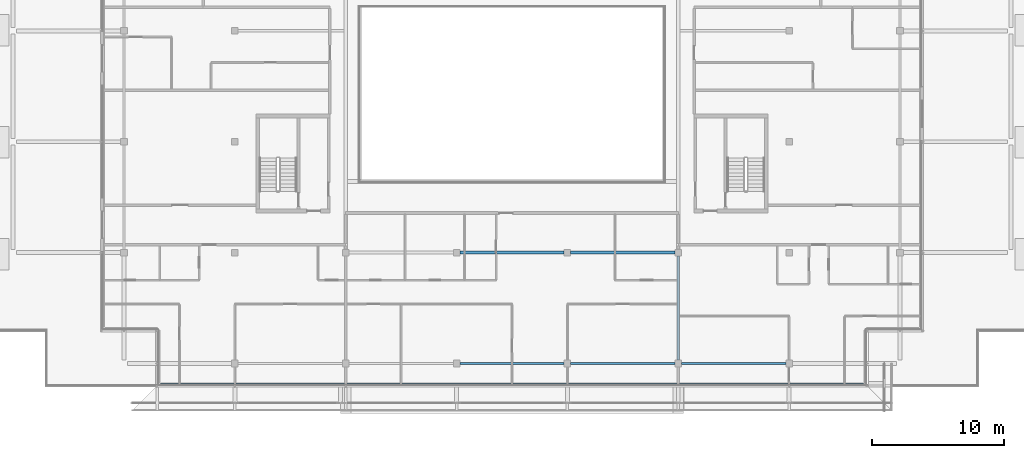
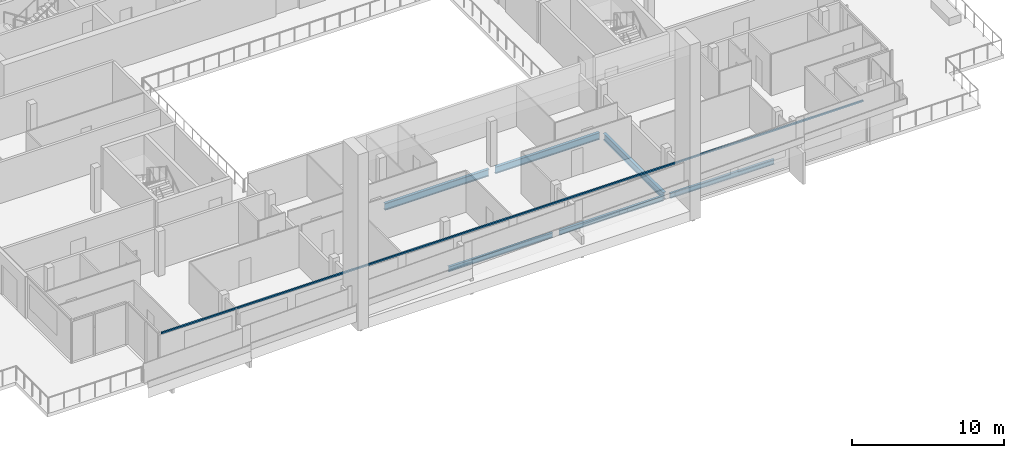
# One storey, part 6 of 29: 6 beams, 1 member, 1 element without a shape of its own.
"""IFC4 building model written with IfcOpenShell, lengths in metres."""

import ifcopenshell
import ifcopenshell.guid

model = None  # the IFC model being written
_history = None  # IfcOwnerHistory: only IFC2X3 demands one
_inside = {}  # id of a spatial element -> (the spatial element, [elements in it])
_under = {}  # id of a project, library or spatial element -> (it, [spatial elements below it])
_declared = {}  # id of a project -> (the project, [libraries it declares])
_typed = {}  # id of a type object -> (the type object, [elements of that type])
_made_of = {}  # id of a material, layer set ... -> (it, [elements and type objects made of it])


def new_model(schema):
    """Start an empty IFC model of exactly this schema.

    Asked for "IFC4X3", IfcOpenShell would pick the latest addendum, in which some entities
    have other attributes; the version numbers below select the first issue.
    IFC2X3 requires an IfcOwnerHistory on every rooted entity: one is made here for all.
    """
    global model, _history
    if schema == "IFC4X3":
        model = ifcopenshell.file(schema_version=(4, 3, 0, 0))
    else:
        model = ifcopenshell.file(schema=schema)
    _inside.clear()
    _under.clear()
    _declared.clear()
    _typed.clear()
    _made_of.clear()
    _history = None
    if model.schema == "IFC2X3":
        org = make("IfcOrganization", Name="unknown")
        user = make(
            "IfcPersonAndOrganization",
            ThePerson=make("IfcPerson", FamilyName="unknown"),
            TheOrganization=org,
        )
        app = make(
            "IfcApplication",
            ApplicationDeveloper=org,
            Version="unknown",
            ApplicationFullName="unknown",
            ApplicationIdentifier="unknown",
        )
        _history = make(
            "IfcOwnerHistory",
            OwningUser=user,
            OwningApplication=app,
            ChangeAction="ADDED",
            CreationDate=0,
        )
    return model


def make(cls, **values):
    """One entity of the class cls with the attributes given. An attribute that is None is left unset."""
    return model.create_entity(
        cls, **{name: value for name, value in values.items() if value is not None}
    )


def rooted(cls, **values):
    """An entity with a GlobalId (a new one), such as an element, a storey or a relation."""
    return make(cls, GlobalId=ifcopenshell.guid.new(), OwnerHistory=_history, **values)


def si_unit(unit_type, name, prefix=None):
    """IfcSIUnit, for example si_unit("LENGTHUNIT", "METRE", prefix="MILLI")."""
    return make("IfcSIUnit", UnitType=unit_type, Prefix=prefix, Name=name)


def assignment(units):
    """IfcUnitAssignment: the units of a project."""
    return None if units is None else make("IfcUnitAssignment", Units=units)


def point(xyz):
    """IfcCartesianPoint."""
    return None if xyz is None else make("IfcCartesianPoint", Coordinates=xyz)


def direction(xyz):
    """IfcDirection."""
    return None if xyz is None else make("IfcDirection", DirectionRatios=xyz)


def frame(location, z_axis=None, x_axis=None):
    """IfcAxis2Placement3D, a coordinate frame: its origin and axes. An axis left out is left unset."""
    return make(
        "IfcAxis2Placement3D",
        Location=point(location),
        Axis=direction(z_axis),
        RefDirection=direction(x_axis),
    )


def frame_2d(location, x_axis=None):
    """IfcAxis2Placement2D, a coordinate frame in the plane: its origin and x axis."""
    return make(
        "IfcAxis2Placement2D", Location=point(location), RefDirection=direction(x_axis)
    )


def origin():
    """The frame at (0, 0, 0) with its axes left unset."""
    return frame((0.0, 0.0, 0.0))


def origin_2d():
    """The frame at (0, 0) in the plane with its x axis left unset."""
    return frame_2d((0.0, 0.0))


def place(relative_to, where):
    """IfcLocalPlacement: puts the frame where relative to a parent placement (None: the world)."""
    return make(
        "IfcLocalPlacement", PlacementRelTo=relative_to, RelativePlacement=where
    )


def context(
    kind, dimensions, precision=None, world=None, true_north=None, identifier=None
):
    """IfcGeometricRepresentationContext, for example the 3D "Model" context."""
    return make(
        "IfcGeometricRepresentationContext",
        ContextIdentifier=identifier,
        ContextType=kind,
        CoordinateSpaceDimension=dimensions,
        Precision=precision,
        WorldCoordinateSystem=world,
        TrueNorth=true_north,
    )


def subcontext(parent, identifier, kind, view, scale=None):
    """IfcGeometricRepresentationSubContext, for example "Body" below "Model"."""
    return make(
        "IfcGeometricRepresentationSubContext",
        ContextIdentifier=identifier,
        ContextType=kind,
        ParentContext=parent,
        TargetScale=scale,
        TargetView=view,
    )


def project(units=None, contexts=None):
    """IfcProject with its units and contexts."""
    return rooted(
        "IfcProject",
        Name="project",
        RepresentationContexts=contexts,
        UnitsInContext=assignment(units),
    )


def spatial(cls, under=None, at=None, **own):
    """A site, building, storey or space (cls), placed at a placement, below another one or the project."""
    s = rooted(cls, ObjectPlacement=at, **own)
    if under is not None:
        _under.setdefault(under.id(), (under, []))[1].append(s)
    return s


def profile(cls, at=None, kind="AREA", **sizes):
    """A parametric profile (cls). Its sizes go by their IFC names, for example OverallWidth=200.0."""
    return make(cls, ProfileType=kind, Position=at, **sizes)


def rectangle(**sizes):
    """IfcRectangleProfileDef."""
    return profile("IfcRectangleProfileDef", **sizes)


def i_section(**sizes):
    """IfcIShapeProfileDef."""
    return profile("IfcIShapeProfileDef", **sizes)


def extrude(swept, where, along, depth):
    """IfcExtrudedAreaSolid: the profile swept, set in the frame where, extruded along a direction by depth."""
    return make(
        "IfcExtrudedAreaSolid",
        SweptArea=swept,
        Position=where,
        ExtrudedDirection=direction(along),
        Depth=depth,
    )


def shape(context_of_items, identifier, shape_type, items):
    """IfcShapeRepresentation: the items that make up one representation, for example the "Body"."""
    return make(
        "IfcShapeRepresentation",
        ContextOfItems=context_of_items,
        RepresentationIdentifier=identifier,
        RepresentationType=shape_type,
        Items=items,
    )


def material(Name=None, Category=None):
    """IfcMaterial."""
    return make("IfcMaterial", Name=Name, Category=Category)


def material_profile(
    of_material, cross_section, Name=None, Category=None, Priority=None
):
    """IfcMaterialProfile: a cross section and its material."""
    return make(
        "IfcMaterialProfile",
        Name=Name,
        Material=of_material,
        Profile=cross_section,
        Priority=Priority,
        Category=Category,
    )


def profile_set(profiles, Name=None, composite=None):
    """IfcMaterialProfileSet."""
    return make(
        "IfcMaterialProfileSet",
        Name=Name,
        MaterialProfiles=profiles,
        CompositeProfile=composite,
    )


def made_of(thing, what):
    """Note that an element or type object is made of a material, layer set ...; save() writes the relation."""
    if what is not None:
        _made_of.setdefault(what.id(), (what, []))[1].append(thing)
    return thing


def type_object(cls, material=None, **own):
    """A type object (cls), such as IfcWallType, which elements share."""
    return made_of(rooted(cls, **own), material)


def element(
    cls,
    number,
    at=None,
    inside=None,
    cuts=None,
    type_object=None,
    material=None,
    context=None,
    identifier="Body",
    shape_type=None,
    held_by="IfcProductDefinitionShape",
    body=None,
    shapes=None,
    **own,
):
    """One element of the class cls, such as IfcWall. Its Tag is "e" and its number.

    at: its placement. inside: the storey or other place that contains it. cuts: it is an
    opening in that element (IfcRelVoidsElement). A single representation is given by context,
    identifier, shape_type and body (its items); several are given by shapes. held_by: the class
    of the entity that holds the representations. save() writes the other relations.
    """
    e = rooted(cls, Tag="e%d" % number, ObjectPlacement=at, **own)
    if body is not None:
        shapes = [shape(context, identifier, shape_type, body)]
    if shapes is not None:
        e.Representation = make(held_by, Representations=shapes)
    if inside is not None:
        _inside.setdefault(inside.id(), (inside, []))[1].append(e)
    if cuts is not None:
        rooted(
            "IfcRelVoidsElement", RelatingBuildingElement=cuts, RelatedOpeningElement=e
        )
    if type_object is not None:
        _typed.setdefault(type_object.id(), (type_object, []))[1].append(e)
    return made_of(e, material)


def aggregate(whole, parts):
    """IfcRelAggregates: a whole, such as a stair, and the parts it consists of."""
    return rooted("IfcRelAggregates", RelatingObject=whole, RelatedObjects=parts)


def save(model, path):
    """Write the relations noted so far, then the file.

    IfcRelAggregates (storeys below a building ...), IfcRelContainedInSpatialStructure (elements
    in a storey), IfcRelDefinesByType, IfcRelAssociatesMaterial and IfcRelDeclares: one each for
    every whole, place, type object, material and project.
    """
    for whole, parts in _under.values():
        aggregate(whole, parts)
    for where, things in _inside.values():
        rooted(
            "IfcRelContainedInSpatialStructure",
            RelatedElements=things,
            RelatingStructure=where,
        )
    for kind, things in _typed.values():
        rooted("IfcRelDefinesByType", RelatedObjects=things, RelatingType=kind)
    for what, things in _made_of.values():
        rooted("IfcRelAssociatesMaterial", RelatedObjects=things, RelatingMaterial=what)
    for by, libraries in _declared.values():
        rooted("IfcRelDeclares", RelatingContext=by, RelatedDefinitions=libraries)
    model.write(path)


model = new_model("IFC4")

# Units and contexts
model_context = context("Model", 3, precision=1e-05, world=origin(), true_north=direction((0.0, 1.0)))
body_context = subcontext(model_context, "Body", "Model", "MODEL_VIEW")
ifc_project = project(units=[si_unit("LENGTHUNIT", "METRE"), si_unit("AREAUNIT", "SQUARE_METRE"), si_unit("VOLUMEUNIT", "CUBIC_METRE"), si_unit("PLANEANGLEUNIT", "RADIAN"), si_unit("MASSUNIT", "GRAM", prefix="KILO")], contexts=[model_context])

# Site, building, storey
site_placement = place(None, origin())
site = spatial("IfcSite", under=ifc_project, at=site_placement, CompositionType="ELEMENT")
building_placement = place(site_placement, origin())
building = spatial("IfcBuilding", under=site, at=building_placement, Name="Saffron Gate Tower", CompositionType="ELEMENT")
storey_placement = place(building_placement, frame((0.0, 0.0, 270.75)))
storey = spatial("IfcBuildingStorey", under=building, at=storey_placement, Name="L65", CompositionType="ELEMENT", Elevation=270.75)

# Beams
ifc_material_1 = material(Name="Structural steel S355", Category="steel")
ifc_material_profile_1 = material_profile(ifc_material_1, i_section(OverallWidth=0.2099609375, OverallDepth=0.550048828125, WebThickness=0.010986328125, FlangeThickness=0.01708984375, FilletRadius=0.02392578125, at=origin_2d()))
ifc_profile_set_1 = profile_set([ifc_material_profile_1], Name="Structural steel S355")
beam_type_1 = type_object("IfcBeamType", Name="B12 IPE 550", PredefinedType="BEAM", material=ifc_profile_set_1)
beam_1_placement = place(storey_placement, frame((100.199951171875, 32.050048828125, -0.554931640625), z_axis=(0.0, 1.0, 0.0), x_axis=(-1.0, 0.0, 0.0)))
element("IfcBeam", 1, at=beam_1_placement, inside=storey, type_object=beam_type_1, Name="B12 FLOOR GIRDER", PredefinedType="BEAM", context=body_context, shape_type="SweptSolid", body=[
    extrude(i_section(OverallWidth=0.2099609375, OverallDepth=0.550048828125, WebThickness=0.010986328125, FlangeThickness=0.01708984375, FilletRadius=0.02392578125, at=origin_2d()), origin(), (0.0, 0.0, 1.0), 7.89990234375),
])
beam_2_placement = place(storey_placement, frame((83.64990234375, 40.199951171875, -0.554931640625), z_axis=(1.0, 0.0, 0.0), x_axis=(0.0, 1.0, 0.0)))
element("IfcBeam", 2, at=beam_2_placement, inside=storey, type_object=beam_type_1, Name="B12 FLOOR GIRDER", PredefinedType="BEAM", context=body_context, shape_type="SweptSolid", body=[
    extrude(i_section(OverallWidth=0.2099609375, OverallDepth=0.550048828125, WebThickness=0.010986328125, FlangeThickness=0.01708984375, FilletRadius=0.02392578125, at=origin_2d()), origin(), (0.0, 0.0, 1.0), 7.900146484375),
])
beam_3_placement = place(storey_placement, frame((92.050048828125, 40.199951171875, -0.554931640625), z_axis=(1.0, 0.0, 0.0), x_axis=(0.0, 1.0, 0.0)))
element("IfcBeam", 3, at=beam_3_placement, inside=storey, type_object=beam_type_1, Name="B12 FLOOR GIRDER", PredefinedType="BEAM", context=body_context, shape_type="SweptSolid", body=[
    extrude(i_section(OverallWidth=0.2099609375, OverallDepth=0.550048828125, WebThickness=0.010986328125, FlangeThickness=0.01708984375, FilletRadius=0.02392578125, at=origin_2d()), origin(), (0.0, 0.0, 1.0), 7.89990234375),
])
ifc_material_profile_2 = material_profile(ifc_material_1, i_section(OverallWidth=0.179931640625, OverallDepth=0.39990234375, WebThickness=0.008544921875, FlangeThickness=0.013427734375, FilletRadius=0.02099609375, at=origin_2d()))
ifc_profile_set_2 = profile_set([ifc_material_profile_2], Name="Structural steel S355")
beam_type_2 = type_object("IfcBeamType", Name="B5 IPE 400", PredefinedType="SPANDREL", material=ifc_profile_set_2)
beam_4_placement = place(storey_placement, frame((83.64990234375, 31.800048828125, -0.47998046875), z_axis=(1.0, 0.0, 0.0), x_axis=(0.0, 1.0, 0.0)))
element("IfcBeam", 4, at=beam_4_placement, inside=storey, type_object=beam_type_2, Name="B5 SPANDREL BEAM", PredefinedType="SPANDREL", context=body_context, shape_type="SweptSolid", body=[
    extrude(i_section(OverallWidth=0.179931640625, OverallDepth=0.39990234375, WebThickness=0.008544921875, FlangeThickness=0.013427734375, FilletRadius=0.02099609375, at=origin_2d()), origin(), (0.0, 0.0, 1.0), 7.900146484375),
])
beam_5_placement = place(storey_placement, frame((92.050048828125, 31.800048828125, -0.47998046875), z_axis=(1.0, 0.0, 0.0), x_axis=(0.0, 1.0, 0.0)))
element("IfcBeam", 5, at=beam_5_placement, inside=storey, type_object=beam_type_2, Name="B5 SPANDREL BEAM", PredefinedType="SPANDREL", context=body_context, shape_type="SweptSolid", body=[
    extrude(i_section(OverallWidth=0.179931640625, OverallDepth=0.39990234375, WebThickness=0.008544921875, FlangeThickness=0.013427734375, FilletRadius=0.02099609375, at=origin_2d()), origin(), (0.0, 0.0, 1.0), 7.89990234375),
])
beam_6_placement = place(storey_placement, frame((100.449951171875, 31.800048828125, -0.47998046875), z_axis=(1.0, 0.0, 0.0), x_axis=(0.0, 1.0, 0.0)))
element("IfcBeam", 6, at=beam_6_placement, inside=storey, type_object=beam_type_2, Name="B5 SPANDREL BEAM", PredefinedType="SPANDREL", context=body_context, shape_type="SweptSolid", body=[
    extrude(i_section(OverallWidth=0.179931640625, OverallDepth=0.39990234375, WebThickness=0.008544921875, FlangeThickness=0.013427734375, FilletRadius=0.02099609375, at=origin_2d()), origin(), (0.0, 0.0, 1.0), 7.900146484375),
])

# Curtain wall, member
ifc_material_2 = material(Name="Aluminium, bronze anodised", Category="aluminium")
curtain_wall_type = type_object("IfcCurtainWallType", Name="CWS1 curtain wall front facade", PredefinedType="NOTDEFINED", material=ifc_material_2)
curtain_wall_placement = place(storey_placement, origin())
curtain_wall = element("IfcCurtainWall", 7, at=curtain_wall_placement, inside=storey, type_object=curtain_wall_type, Name="CWS1 run 1", PredefinedType="NOTDEFINED")
ifc_material_profile_3 = material_profile(ifc_material_2, rectangle(XDim=0.1201171875, YDim=0.1201171875, at=origin_2d()))
ifc_profile_set_3 = profile_set([ifc_material_profile_3], Name="Aluminium, bronze anodised")
member_type = type_object("IfcMemberType", Name="CWS1 head transom", PredefinedType="USERDEFINED", material=ifc_profile_set_3)
member_placement = place(storey_placement, frame((60.968017578125, 30.248046875, 3.260009765625), z_axis=(1.0, 0.0, 0.0), x_axis=(0.0, 1.0, 0.0)))
member = element("IfcMember", 8, at=member_placement, type_object=member_type, Name="CWS1 head transom", ObjectType="TRANSOM", PredefinedType="USERDEFINED", context=body_context, shape_type="SweptSolid", body=[
    extrude(rectangle(XDim=0.1201171875, YDim=0.1201171875, at=origin_2d()), origin(), (0.0, 0.0, 1.0), 53.263916015625),
])
aggregate(curtain_wall, [member])

save(model, "model.ifc")
